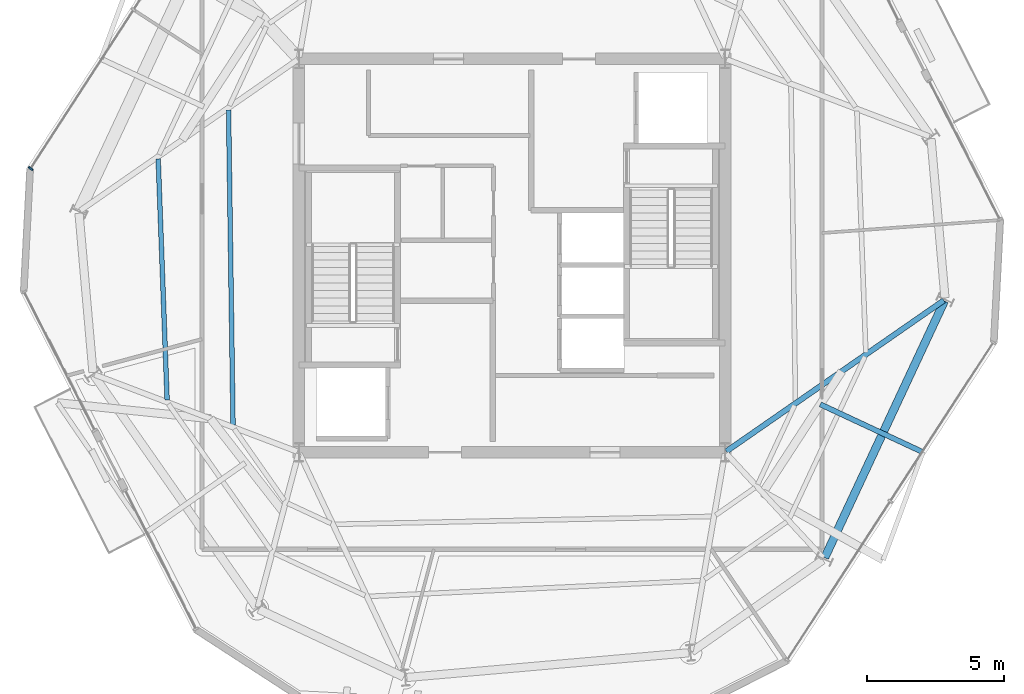
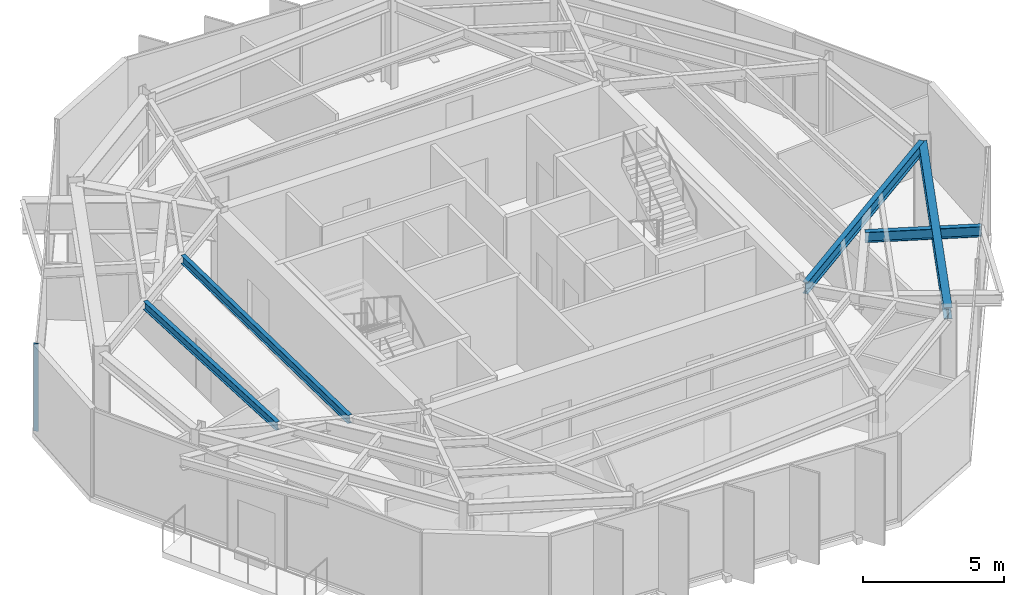
# One storey, part 3 of 11: 5 beams, 1 member, 1 element without a shape of its own.
"""IFC4 building model written with IfcOpenShell, lengths in metres."""

import ifcopenshell
import ifcopenshell.guid

model = None  # the IFC model being written
_history = None  # IfcOwnerHistory: only IFC2X3 demands one
_inside = {}  # id of a spatial element -> (the spatial element, [elements in it])
_under = {}  # id of a project, library or spatial element -> (it, [spatial elements below it])
_declared = {}  # id of a project -> (the project, [libraries it declares])
_typed = {}  # id of a type object -> (the type object, [elements of that type])
_made_of = {}  # id of a material, layer set ... -> (it, [elements and type objects made of it])


def new_model(schema):
    """Start an empty IFC model of exactly this schema.

    Asked for "IFC4X3", IfcOpenShell would pick the latest addendum, in which some entities
    have other attributes; the version numbers below select the first issue.
    IFC2X3 requires an IfcOwnerHistory on every rooted entity: one is made here for all.
    """
    global model, _history
    if schema == "IFC4X3":
        model = ifcopenshell.file(schema_version=(4, 3, 0, 0))
    else:
        model = ifcopenshell.file(schema=schema)
    _inside.clear()
    _under.clear()
    _declared.clear()
    _typed.clear()
    _made_of.clear()
    _history = None
    if model.schema == "IFC2X3":
        org = make("IfcOrganization", Name="unknown")
        user = make(
            "IfcPersonAndOrganization",
            ThePerson=make("IfcPerson", FamilyName="unknown"),
            TheOrganization=org,
        )
        app = make(
            "IfcApplication",
            ApplicationDeveloper=org,
            Version="unknown",
            ApplicationFullName="unknown",
            ApplicationIdentifier="unknown",
        )
        _history = make(
            "IfcOwnerHistory",
            OwningUser=user,
            OwningApplication=app,
            ChangeAction="ADDED",
            CreationDate=0,
        )
    return model


def make(cls, **values):
    """One entity of the class cls with the attributes given. An attribute that is None is left unset."""
    return model.create_entity(
        cls, **{name: value for name, value in values.items() if value is not None}
    )


def rooted(cls, **values):
    """An entity with a GlobalId (a new one), such as an element, a storey or a relation."""
    return make(cls, GlobalId=ifcopenshell.guid.new(), OwnerHistory=_history, **values)


def si_unit(unit_type, name, prefix=None):
    """IfcSIUnit, for example si_unit("LENGTHUNIT", "METRE", prefix="MILLI")."""
    return make("IfcSIUnit", UnitType=unit_type, Prefix=prefix, Name=name)


def assignment(units):
    """IfcUnitAssignment: the units of a project."""
    return None if units is None else make("IfcUnitAssignment", Units=units)


def point(xyz):
    """IfcCartesianPoint."""
    return None if xyz is None else make("IfcCartesianPoint", Coordinates=xyz)


def direction(xyz):
    """IfcDirection."""
    return None if xyz is None else make("IfcDirection", DirectionRatios=xyz)


def frame(location, z_axis=None, x_axis=None):
    """IfcAxis2Placement3D, a coordinate frame: its origin and axes. An axis left out is left unset."""
    return make(
        "IfcAxis2Placement3D",
        Location=point(location),
        Axis=direction(z_axis),
        RefDirection=direction(x_axis),
    )


def frame_2d(location, x_axis=None):
    """IfcAxis2Placement2D, a coordinate frame in the plane: its origin and x axis."""
    return make(
        "IfcAxis2Placement2D", Location=point(location), RefDirection=direction(x_axis)
    )


def origin():
    """The frame at (0, 0, 0) with its axes left unset."""
    return frame((0.0, 0.0, 0.0))


def origin_2d():
    """The frame at (0, 0) in the plane with its x axis left unset."""
    return frame_2d((0.0, 0.0))


def place(relative_to, where):
    """IfcLocalPlacement: puts the frame where relative to a parent placement (None: the world)."""
    return make(
        "IfcLocalPlacement", PlacementRelTo=relative_to, RelativePlacement=where
    )


def context(
    kind, dimensions, precision=None, world=None, true_north=None, identifier=None
):
    """IfcGeometricRepresentationContext, for example the 3D "Model" context."""
    return make(
        "IfcGeometricRepresentationContext",
        ContextIdentifier=identifier,
        ContextType=kind,
        CoordinateSpaceDimension=dimensions,
        Precision=precision,
        WorldCoordinateSystem=world,
        TrueNorth=true_north,
    )


def subcontext(parent, identifier, kind, view, scale=None):
    """IfcGeometricRepresentationSubContext, for example "Body" below "Model"."""
    return make(
        "IfcGeometricRepresentationSubContext",
        ContextIdentifier=identifier,
        ContextType=kind,
        ParentContext=parent,
        TargetScale=scale,
        TargetView=view,
    )


def project(units=None, contexts=None):
    """IfcProject with its units and contexts."""
    return rooted(
        "IfcProject",
        Name="project",
        RepresentationContexts=contexts,
        UnitsInContext=assignment(units),
    )


def spatial(cls, under=None, at=None, **own):
    """A site, building, storey or space (cls), placed at a placement, below another one or the project."""
    s = rooted(cls, ObjectPlacement=at, **own)
    if under is not None:
        _under.setdefault(under.id(), (under, []))[1].append(s)
    return s


def profile(cls, at=None, kind="AREA", **sizes):
    """A parametric profile (cls). Its sizes go by their IFC names, for example OverallWidth=200.0."""
    return make(cls, ProfileType=kind, Position=at, **sizes)


def rectangle(**sizes):
    """IfcRectangleProfileDef."""
    return profile("IfcRectangleProfileDef", **sizes)


def i_section(**sizes):
    """IfcIShapeProfileDef."""
    return profile("IfcIShapeProfileDef", **sizes)


def extrude(swept, where, along, depth):
    """IfcExtrudedAreaSolid: the profile swept, set in the frame where, extruded along a direction by depth."""
    return make(
        "IfcExtrudedAreaSolid",
        SweptArea=swept,
        Position=where,
        ExtrudedDirection=direction(along),
        Depth=depth,
    )


def shape(context_of_items, identifier, shape_type, items):
    """IfcShapeRepresentation: the items that make up one representation, for example the "Body"."""
    return make(
        "IfcShapeRepresentation",
        ContextOfItems=context_of_items,
        RepresentationIdentifier=identifier,
        RepresentationType=shape_type,
        Items=items,
    )


def material(Name=None, Category=None):
    """IfcMaterial."""
    return make("IfcMaterial", Name=Name, Category=Category)


def layer(
    of_material, thickness, ventilated=None, Name=None, Category=None, Priority=None
):
    """IfcMaterialLayer: one layer of a wall or slab, of a material (None: an air gap)."""
    return make(
        "IfcMaterialLayer",
        Material=of_material,
        LayerThickness=thickness,
        IsVentilated=ventilated,
        Name=Name,
        Category=Category,
        Priority=Priority,
    )


def layer_set(layers, Name=None):
    """IfcMaterialLayerSet."""
    return make("IfcMaterialLayerSet", MaterialLayers=layers, LayerSetName=Name)


def material_profile(
    of_material, cross_section, Name=None, Category=None, Priority=None
):
    """IfcMaterialProfile: a cross section and its material."""
    return make(
        "IfcMaterialProfile",
        Name=Name,
        Material=of_material,
        Profile=cross_section,
        Priority=Priority,
        Category=Category,
    )


def profile_set(profiles, Name=None, composite=None):
    """IfcMaterialProfileSet."""
    return make(
        "IfcMaterialProfileSet",
        Name=Name,
        MaterialProfiles=profiles,
        CompositeProfile=composite,
    )


def made_of(thing, what):
    """Note that an element or type object is made of a material, layer set ...; save() writes the relation."""
    if what is not None:
        _made_of.setdefault(what.id(), (what, []))[1].append(thing)
    return thing


def type_object(cls, material=None, **own):
    """A type object (cls), such as IfcWallType, which elements share."""
    return made_of(rooted(cls, **own), material)


def element(
    cls,
    number,
    at=None,
    inside=None,
    cuts=None,
    type_object=None,
    material=None,
    context=None,
    identifier="Body",
    shape_type=None,
    held_by="IfcProductDefinitionShape",
    body=None,
    shapes=None,
    **own,
):
    """One element of the class cls, such as IfcWall. Its Tag is "e" and its number.

    at: its placement. inside: the storey or other place that contains it. cuts: it is an
    opening in that element (IfcRelVoidsElement). A single representation is given by context,
    identifier, shape_type and body (its items); several are given by shapes. held_by: the class
    of the entity that holds the representations. save() writes the other relations.
    """
    e = rooted(cls, Tag="e%d" % number, ObjectPlacement=at, **own)
    if body is not None:
        shapes = [shape(context, identifier, shape_type, body)]
    if shapes is not None:
        e.Representation = make(held_by, Representations=shapes)
    if inside is not None:
        _inside.setdefault(inside.id(), (inside, []))[1].append(e)
    if cuts is not None:
        rooted(
            "IfcRelVoidsElement", RelatingBuildingElement=cuts, RelatedOpeningElement=e
        )
    if type_object is not None:
        _typed.setdefault(type_object.id(), (type_object, []))[1].append(e)
    return made_of(e, material)


def aggregate(whole, parts):
    """IfcRelAggregates: a whole, such as a stair, and the parts it consists of."""
    return rooted("IfcRelAggregates", RelatingObject=whole, RelatedObjects=parts)


def save(model, path):
    """Write the relations noted so far, then the file.

    IfcRelAggregates (storeys below a building ...), IfcRelContainedInSpatialStructure (elements
    in a storey), IfcRelDefinesByType, IfcRelAssociatesMaterial and IfcRelDeclares: one each for
    every whole, place, type object, material and project.
    """
    for whole, parts in _under.values():
        aggregate(whole, parts)
    for where, things in _inside.values():
        rooted(
            "IfcRelContainedInSpatialStructure",
            RelatedElements=things,
            RelatingStructure=where,
        )
    for kind, things in _typed.values():
        rooted("IfcRelDefinesByType", RelatedObjects=things, RelatingType=kind)
    for what, things in _made_of.values():
        rooted("IfcRelAssociatesMaterial", RelatedObjects=things, RelatingMaterial=what)
    for by, libraries in _declared.values():
        rooted("IfcRelDeclares", RelatingContext=by, RelatedDefinitions=libraries)
    model.write(path)


model = new_model("IFC4")

# Units and contexts
model_context = context("Model", 3, precision=1e-05, world=origin(), true_north=direction((0.0, 1.0)))
body_context = subcontext(model_context, "Body", "Model", "MODEL_VIEW")
ifc_project = project(units=[si_unit("LENGTHUNIT", "METRE"), si_unit("AREAUNIT", "SQUARE_METRE"), si_unit("VOLUMEUNIT", "CUBIC_METRE"), si_unit("PLANEANGLEUNIT", "RADIAN"), si_unit("MASSUNIT", "GRAM", prefix="KILO")], contexts=[model_context])

# Site, building, storey
site_placement = place(None, origin())
site = spatial("IfcSite", under=ifc_project, at=site_placement, CompositionType="ELEMENT")
building_placement = place(site_placement, origin())
building = spatial("IfcBuilding", under=site, at=building_placement, Name="Kranzbogen Civic Tower", CompositionType="ELEMENT")
storey_placement = place(building_placement, frame((0.0, 0.0, 254.199951171875)))
storey = spatial("IfcBuildingStorey", under=building, at=storey_placement, Name="L61", CompositionType="ELEMENT", Elevation=254.199951171875)

# Beam
ifc_material_1 = material(Name="Steel S355", Category="steel")
ifc_material_profile_1 = material_profile(ifc_material_1, i_section(OverallWidth=0.18994140625, OverallDepth=0.449951171875, WebThickness=0.009521484375, FlangeThickness=0.0146484375, at=origin_2d()), Name="IPE 450")
ifc_profile_set_1 = profile_set([ifc_material_profile_1], Name="Steel S355")
beam_type_1 = type_object("IfcBeamType", Name="Braced Terrace Edge Beam IPE 450", PredefinedType="BEAM", material=ifc_profile_set_1)
beam_1_placement = place(storey_placement, frame((36.285888671875, 19.553955078125, 3.525146484375), z_axis=(0.906307979933, -0.422617848073, 0.0), x_axis=(0.422617848073, 0.906307979933, 0.0)))
element("IfcBeam", 1, at=beam_1_placement, inside=storey, type_object=beam_type_1, Name="L62 back-spanned terrace beam L62-TB1-2", PredefinedType="BEAM", context=body_context, shape_type="SweptSolid", body=[
    extrude(i_section(OverallWidth=0.18994140625, OverallDepth=0.449951171875, WebThickness=0.009521484375, FlangeThickness=0.0146484375, at=origin_2d()), origin(), (0.0, 0.0, 1.0), 4.1455078125),
])

# Curtain wall, member
ifc_material_2 = material(Name="Pale Anodised Aluminium", Category="aluminium")
ifc_layer = layer(ifc_material_2, 0.219970703125, Name="Pale Anodised Aluminium")
ifc_layer_set = layer_set([ifc_layer], Name="Pale Anodised Aluminium")
curtain_wall_type = type_object("IfcCurtainWallType", Name="Zone 4 Stick Curtain Wall System CW-05", PredefinedType="USERDEFINED", material=ifc_layer_set)
curtain_wall_placement = place(storey_placement, origin())
curtain_wall = element("IfcCurtainWall", 2, at=curtain_wall_placement, inside=storey, type_object=curtain_wall_type, Name="L61 curtain wall CW-L61-F2", ObjectType="STICK CURTAIN WALL", PredefinedType="USERDEFINED")
ifc_material_profile_2 = material_profile(ifc_material_2, rectangle(XDim=0.06494140625, YDim=0.179931640625, at=origin_2d()), Name="ALU-M 65x180")
ifc_profile_set_2 = profile_set([ifc_material_profile_2], Name="Pale Anodised Aluminium")
member_type = type_object("IfcMemberType", Name="Curtain Wall Mullion ALU-M 65x180", PredefinedType="MULLION", material=ifc_profile_set_2)
member_placement = place(storey_placement, frame((7.37939453125, 28.18505859375, 0.0), z_axis=(0.0, 0.0, 1.0), x_axis=(-0.544657317977, -0.838658694568, 0.0)))
member = element("IfcMember", 3, at=member_placement, type_object=member_type, Name="CW-05 mullion 3", PredefinedType="MULLION", context=body_context, shape_type="SweptSolid", body=[
    extrude(rectangle(XDim=0.06494140625, YDim=0.179931640625, at=origin_2d()), origin(), (0.0, 0.0, 1.0), 3.780029296875),
])
aggregate(curtain_wall, [member])

# Beams
ifc_material_profile_3 = material_profile(ifc_material_1, i_section(OverallWidth=0.300048828125, OverallDepth=0.5, WebThickness=0.014404296875, FlangeThickness=0.028076171875, at=origin_2d()), Name="HEB 500")
ifc_profile_set_3 = profile_set([ifc_material_profile_3], Name="Steel S355")
beam_type_2 = type_object("IfcBeamType", Name="Perimeter Tube Spandrel Beam HEB 500", PredefinedType="SPANDREL", material=ifc_profile_set_3)
beam_2_placement = place(storey_placement, frame((36.449951171875, 13.944091796875, 3.530029296875), z_axis=(0.422668780888, 0.906284227857, 0.0), x_axis=(-0.906284227857, 0.422668780888, 0.0)))
element("IfcBeam", 4, at=beam_2_placement, inside=storey, type_object=beam_type_2, Name="L61 perimeter spandrel beam 05", PredefinedType="SPANDREL", context=body_context, shape_type="SweptSolid", body=[
    extrude(i_section(OverallWidth=0.300048828125, OverallDepth=0.5, WebThickness=0.014404296875, FlangeThickness=0.028076171875, at=origin_2d()), origin(), (0.0, 0.0, 1.0), 10.363037109375),
])
ifc_material_profile_4 = material_profile(ifc_material_1, i_section(OverallWidth=0.199951171875, OverallDepth=0.5, WebThickness=0.01025390625, FlangeThickness=0.01611328125, at=origin_2d()), Name="IPE 500")
ifc_profile_set_4 = profile_set([ifc_material_profile_4], Name="Steel S355")
beam_type_3 = type_object("IfcBeamType", Name="Radial Tower Floor Girder IPE 500", PredefinedType="BEAM", material=ifc_profile_set_4)
beam_3_placement = place(storey_placement, frame((40.805908203125, 23.35595703125, 3.530029296875), z_axis=(-0.821542812331, -0.570146829779, 0.0), x_axis=(0.570146829779, -0.821542812331, 0.0)))
element("IfcBeam", 5, at=beam_3_placement, inside=storey, type_object=beam_type_3, Name="L61 radial floor girder 06", PredefinedType="BEAM", context=body_context, shape_type="SweptSolid", body=[
    extrude(i_section(OverallWidth=0.199951171875, OverallDepth=0.5, WebThickness=0.01025390625, FlangeThickness=0.01611328125, at=origin_2d()), origin(), (0.0, 0.0, 1.0), 9.68505859375),
])
ifc_material_profile_5 = material_profile(ifc_material_1, i_section(OverallWidth=0.169921875, OverallDepth=0.360107421875, WebThickness=0.008056640625, FlangeThickness=0.0126953125, at=origin_2d()), Name="IPE 360")
ifc_profile_set_5 = profile_set([ifc_material_profile_5], Name="Steel S355")
beam_type_4 = type_object("IfcBeamType", Name="Secondary Composite Floor Joist IPE 360", PredefinedType="JOIST", material=ifc_profile_set_5)
beam_4_placement = place(storey_placement, frame((12.048095703125, 28.5419921875, 3.60009765625), z_axis=(0.036992246074, -0.999315552631, 0.0), x_axis=(0.999315552631, 0.036992246074, 0.0)))
element("IfcBeam", 6, at=beam_4_placement, inside=storey, type_object=beam_type_4, Name="L61 secondary floor joist 1.12", PredefinedType="JOIST", context=body_context, shape_type="SweptSolid", body=[
    extrude(i_section(OverallWidth=0.169921875, OverallDepth=0.360107421875, WebThickness=0.008056640625, FlangeThickness=0.0126953125, at=origin_2d()), origin(), (0.0, 0.0, 1.0), 8.837158203125),
])
beam_5_placement = place(storey_placement, frame((14.6240234375, 30.3310546875, 3.60009765625), z_axis=(0.014221385906, -0.999898870978, 0.0), x_axis=(0.999898870978, 0.014221385906, 0.0)))
element("IfcBeam", 7, at=beam_5_placement, inside=storey, type_object=beam_type_4, Name="L61 secondary floor joist 2.12", PredefinedType="JOIST", context=body_context, shape_type="SweptSolid", body=[
    extrude(i_section(OverallWidth=0.169921875, OverallDepth=0.360107421875, WebThickness=0.008056640625, FlangeThickness=0.0126953125, at=origin_2d()), origin(), (0.0, 0.0, 1.0), 11.536376953125),
])

save(model, "model.ifc")
